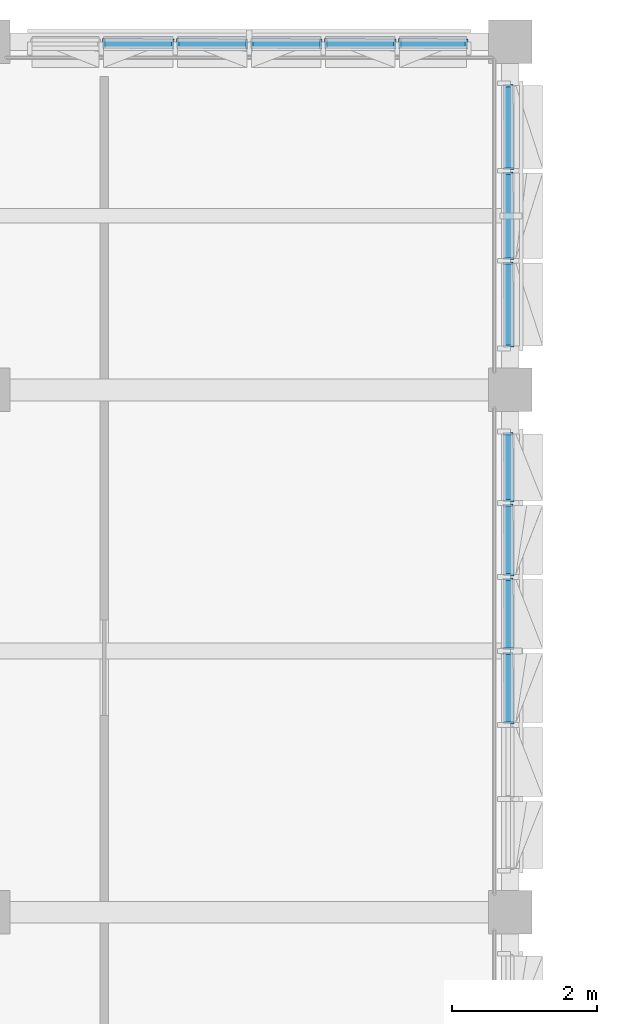
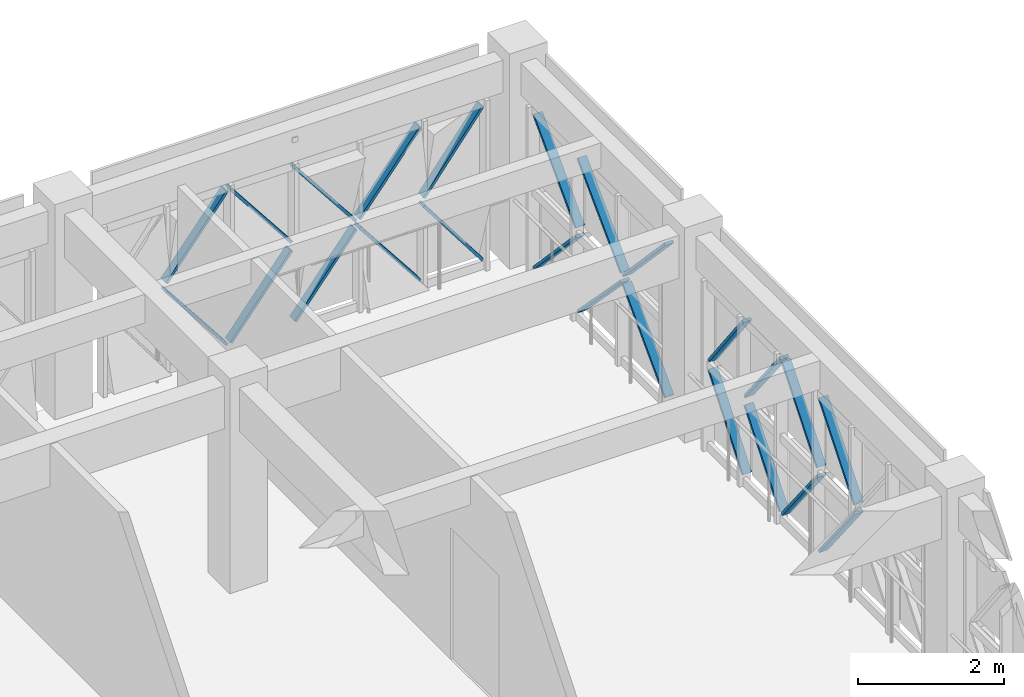
# One storey, part 51 of 74: 24 discrete accessories.
"""IFC4 building model written with IfcOpenShell, lengths in metres."""

from ifc_helpers import new_model, si_unit, direction, frame, origin, origin_2d, place, context, subcontext, project, spatial, rectangle, extrude, material, type_object, element, save


model = new_model("IFC4")

# Units and contexts
model_context = context("Model", 3, precision=1e-05, world=origin(), true_north=direction((0.0, 1.0)))
body_context = subcontext(model_context, "Body", "Model", "MODEL_VIEW")
ifc_project = project(units=[si_unit("LENGTHUNIT", "METRE"), si_unit("AREAUNIT", "SQUARE_METRE"), si_unit("VOLUMEUNIT", "CUBIC_METRE"), si_unit("PLANEANGLEUNIT", "RADIAN"), si_unit("MASSUNIT", "GRAM", prefix="KILO")], contexts=[model_context])

# Site, building, storey
site_placement = place(None, origin())
site = spatial("IfcSite", under=ifc_project, at=site_placement, CompositionType="ELEMENT")
building_placement = place(site_placement, origin())
building = spatial("IfcBuilding", under=site, at=building_placement, Name="Alvorim Cloister Faculty of Sciences", CompositionType="ELEMENT")
storey_placement = place(building_placement, frame((0.0, 0.0, 15.75)))
storey = spatial("IfcBuildingStorey", under=building, at=storey_placement, Name="L04", CompositionType="ELEMENT", Elevation=15.75)

# Discrete accessories
ifc_material = material(Name="Aluminium Alloy 6063-T6", Category="aluminium")
discrete_accessory_type = type_object("IfcDiscreteAccessoryType", Name="ACC-DIAG-BAR", PredefinedType="BRACKET", material=ifc_material)
discrete_accessory_1_placement = place(storey_placement, frame((15.992431640625, 111.577392578125, 1.35498046875), z_axis=(0.617955086572, -0.006476523147, -0.786186724404), x_axis=(0.010479997039, 0.999945083323, 0.0)))
element("IfcDiscreteAccessory", 1, at=discrete_accessory_1_placement, inside=storey, type_object=discrete_accessory_type, Name="Diagonal Cassette Glazing Bracket ACC-01942", PredefinedType="BRACKET", context=body_context, shape_type="SweptSolid", body=[
    extrude(rectangle(XDim=0.139892578125, YDim=0.044921875, at=origin_2d()), origin(), (0.0, 0.0, 1.0), 1.545654296875),
])
discrete_accessory_2_placement = place(storey_placement, frame((15.992431640625, 111.577392578125, 1.4951171875), z_axis=(0.618031836495, -0.00647732753, 0.786126385072), x_axis=(0.010479997039, 0.999945083323, 0.0)))
element("IfcDiscreteAccessory", 2, at=discrete_accessory_2_placement, inside=storey, type_object=discrete_accessory_type, Name="Diagonal Cassette Glazing Bracket ACC-01943", PredefinedType="BRACKET", context=body_context, shape_type="SweptSolid", body=[
    extrude(rectangle(XDim=0.139892578125, YDim=0.044921875, at=origin_2d()), origin(), (0.0, 0.0, 1.0), 1.54541015625),
])
discrete_accessory_3_placement = place(storey_placement, frame((17.012451171875, 111.577392578125, 0.139892578125), z_axis=(0.617955086572, -0.006476523147, 0.786186724404), x_axis=(0.010479997039, 0.999945083323, 0.0)))
element("IfcDiscreteAccessory", 3, at=discrete_accessory_3_placement, inside=storey, type_object=discrete_accessory_type, Name="Diagonal Cassette Glazing Bracket ACC-01944", PredefinedType="BRACKET", context=body_context, shape_type="SweptSolid", body=[
    extrude(rectangle(XDim=0.139892578125, YDim=0.044921875, at=origin_2d()), origin(), (0.0, 0.0, 1.0), 1.545654296875),
])
discrete_accessory_4_placement = place(storey_placement, frame((17.012451171875, 111.577392578125, 2.7099609375), z_axis=(0.618031836495, -0.00647732753, -0.786126385072), x_axis=(0.010479997039, 0.999945083323, 0.0)))
element("IfcDiscreteAccessory", 4, at=discrete_accessory_4_placement, inside=storey, type_object=discrete_accessory_type, Name="Diagonal Cassette Glazing Bracket ACC-01945", PredefinedType="BRACKET", context=body_context, shape_type="SweptSolid", body=[
    extrude(rectangle(XDim=0.139892578125, YDim=0.044921875, at=origin_2d()), origin(), (0.0, 0.0, 1.0), 1.54541015625),
])
discrete_accessory_5_placement = place(storey_placement, frame((18.032470703125, 111.577392578125, 0.139892578125), z_axis=(0.617955086572, -0.006476523147, 0.786186724404), x_axis=(0.010479997039, 0.999945083323, 0.0)))
element("IfcDiscreteAccessory", 5, at=discrete_accessory_5_placement, inside=storey, type_object=discrete_accessory_type, Name="Diagonal Cassette Glazing Bracket ACC-01946", PredefinedType="BRACKET", context=body_context, shape_type="SweptSolid", body=[
    extrude(rectangle(XDim=0.139892578125, YDim=0.044921875, at=origin_2d()), origin(), (0.0, 0.0, 1.0), 1.545654296875),
])
discrete_accessory_6_placement = place(storey_placement, frame((18.032470703125, 111.577392578125, 2.7099609375), z_axis=(0.618031836495, -0.00647732753, -0.786126385072), x_axis=(0.010479997039, 0.999945083323, 0.0)))
element("IfcDiscreteAccessory", 6, at=discrete_accessory_6_placement, inside=storey, type_object=discrete_accessory_type, Name="Diagonal Cassette Glazing Bracket ACC-01947", PredefinedType="BRACKET", context=body_context, shape_type="SweptSolid", body=[
    extrude(rectangle(XDim=0.139892578125, YDim=0.044921875, at=origin_2d()), origin(), (0.0, 0.0, 1.0), 1.54541015625),
])
discrete_accessory_7_placement = place(storey_placement, frame((19.052490234375, 111.577392578125, 1.35498046875), z_axis=(0.617955086572, -0.006476523147, -0.786186724404), x_axis=(0.010479997039, 0.999945083323, 0.0)))
element("IfcDiscreteAccessory", 7, at=discrete_accessory_7_placement, inside=storey, type_object=discrete_accessory_type, Name="Diagonal Cassette Glazing Bracket ACC-01948", PredefinedType="BRACKET", context=body_context, shape_type="SweptSolid", body=[
    extrude(rectangle(XDim=0.139892578125, YDim=0.044921875, at=origin_2d()), origin(), (0.0, 0.0, 1.0), 1.545654296875),
])
discrete_accessory_8_placement = place(storey_placement, frame((19.052490234375, 111.577392578125, 1.4951171875), z_axis=(0.618031836495, -0.00647732753, 0.786126385072), x_axis=(0.010479997039, 0.999945083323, 0.0)))
element("IfcDiscreteAccessory", 8, at=discrete_accessory_8_placement, inside=storey, type_object=discrete_accessory_type, Name="Diagonal Cassette Glazing Bracket ACC-01949", PredefinedType="BRACKET", context=body_context, shape_type="SweptSolid", body=[
    extrude(rectangle(XDim=0.139892578125, YDim=0.044921875, at=origin_2d()), origin(), (0.0, 0.0, 1.0), 1.54541015625),
])
discrete_accessory_9_placement = place(storey_placement, frame((20.072509765625, 111.577392578125, 1.35498046875), z_axis=(0.604713142785, -0.006560793558, -0.796416330151), x_axis=(0.010848792579, 0.999941150118, 0.0)))
element("IfcDiscreteAccessory", 9, at=discrete_accessory_9_placement, inside=storey, type_object=discrete_accessory_type, Name="Diagonal Cassette Glazing Bracket ACC-01950", PredefinedType="BRACKET", context=body_context, shape_type="SweptSolid", body=[
    extrude(rectangle(XDim=0.139892578125, YDim=0.044921875, at=origin_2d()), origin(), (0.0, 0.0, 1.0), 1.525634765625),
])
discrete_accessory_10_placement = place(storey_placement, frame((20.072509765625, 111.577392578125, 1.4951171875), z_axis=(0.604790215644, -0.006561629754, 0.796357796519), x_axis=(0.010848792579, 0.999941150118, 0.0)))
element("IfcDiscreteAccessory", 10, at=discrete_accessory_10_placement, inside=storey, type_object=discrete_accessory_type, Name="Diagonal Cassette Glazing Bracket ACC-01951", PredefinedType="BRACKET", context=body_context, shape_type="SweptSolid", body=[
    extrude(rectangle(XDim=0.139892578125, YDim=0.044921875, at=origin_2d()), origin(), (0.0, 0.0, 1.0), 1.525390625),
])
discrete_accessory_11_placement = place(storey_placement, frame((21.577392578125, 107.405029296875, 0.139892578125), z_axis=(-0.006001274719, 0.685023553293, 0.728496201868), x_axis=(-0.999961627419, -0.008760347591, 0.0)))
element("IfcDiscreteAccessory", 11, at=discrete_accessory_11_placement, inside=storey, type_object=discrete_accessory_type, Name="Diagonal Cassette Glazing Bracket ACC-01953", PredefinedType="BRACKET", context=body_context, shape_type="SweptSolid", body=[
    extrude(rectangle(XDim=0.139892578125, YDim=0.044921875, at=origin_2d()), origin(), (0.0, 0.0, 1.0), 1.66796875),
])
discrete_accessory_12_placement = place(storey_placement, frame((21.577392578125, 107.405029296875, 2.7099609375), z_axis=(-0.006001914684, 0.685096602967, -0.728427499223), x_axis=(-0.999961627419, -0.008760347591, 0.0)))
element("IfcDiscreteAccessory", 12, at=discrete_accessory_12_placement, inside=storey, type_object=discrete_accessory_type, Name="Diagonal Cassette Glazing Bracket ACC-01954", PredefinedType="BRACKET", context=body_context, shape_type="SweptSolid", body=[
    extrude(rectangle(XDim=0.139892578125, YDim=0.044921875, at=origin_2d()), origin(), (0.0, 0.0, 1.0), 1.667724609375),
])
discrete_accessory_13_placement = place(storey_placement, frame((21.577392578125, 108.612548828125, 1.35498046875), z_axis=(-0.005921716613, 0.695151757511, -0.718838623963), x_axis=(-0.99996371874, -0.008518286405, 0.0)))
element("IfcDiscreteAccessory", 13, at=discrete_accessory_13_placement, inside=storey, type_object=discrete_accessory_type, Name="Diagonal Cassette Glazing Bracket ACC-01955", PredefinedType="BRACKET", context=body_context, shape_type="SweptSolid", body=[
    extrude(rectangle(XDim=0.139892578125, YDim=0.044921875, at=origin_2d()), origin(), (0.0, 0.0, 1.0), 1.6904296875),
])
discrete_accessory_14_placement = place(storey_placement, frame((21.577392578125, 108.612548828125, 1.4951171875), z_axis=(-0.00592233146, 0.695223934506, 0.718768813235), x_axis=(-0.99996371874, -0.008518286405, 0.0)))
element("IfcDiscreteAccessory", 14, at=discrete_accessory_14_placement, inside=storey, type_object=discrete_accessory_type, Name="Diagonal Cassette Glazing Bracket ACC-01956", PredefinedType="BRACKET", context=body_context, shape_type="SweptSolid", body=[
    extrude(rectangle(XDim=0.139892578125, YDim=0.044921875, at=origin_2d()), origin(), (0.0, 0.0, 1.0), 1.690185546875),
])
discrete_accessory_15_placement = place(storey_placement, frame((21.577392578125, 109.8525390625, 1.35498046875), z_axis=(-0.006001274719, 0.685023553293, -0.728496201868), x_axis=(-0.999961627419, -0.008760347591, 0.0)))
element("IfcDiscreteAccessory", 15, at=discrete_accessory_15_placement, inside=storey, type_object=discrete_accessory_type, Name="Diagonal Cassette Glazing Bracket ACC-01957", PredefinedType="BRACKET", context=body_context, shape_type="SweptSolid", body=[
    extrude(rectangle(XDim=0.139892578125, YDim=0.044921875, at=origin_2d()), origin(), (0.0, 0.0, 1.0), 1.66796875),
])
discrete_accessory_16_placement = place(storey_placement, frame((21.577392578125, 109.8525390625, 1.4951171875), z_axis=(-0.006001914684, 0.685096602967, 0.728427499223), x_axis=(-0.999961627419, -0.008760347591, 0.0)))
element("IfcDiscreteAccessory", 16, at=discrete_accessory_16_placement, inside=storey, type_object=discrete_accessory_type, Name="Diagonal Cassette Glazing Bracket ACC-01958", PredefinedType="BRACKET", context=body_context, shape_type="SweptSolid", body=[
    extrude(rectangle(XDim=0.139892578125, YDim=0.044921875, at=origin_2d()), origin(), (0.0, 0.0, 1.0), 1.667724609375),
])
discrete_accessory_17_placement = place(storey_placement, frame((21.577392578125, 102.21240234375, 1.35498046875), z_axis=(-0.006476523147, 0.617955086572, -0.786186724404), x_axis=(-0.999945083323, -0.010479997039, 0.0)))
element("IfcDiscreteAccessory", 17, at=discrete_accessory_17_placement, inside=storey, type_object=discrete_accessory_type, Name="Diagonal Cassette Glazing Bracket ACC-01964", PredefinedType="BRACKET", context=body_context, shape_type="SweptSolid", body=[
    extrude(rectangle(XDim=0.139892578125, YDim=0.044921875, at=origin_2d()), origin(), (0.0, 0.0, 1.0), 1.545654296875),
])
discrete_accessory_18_placement = place(storey_placement, frame((21.577392578125, 102.21240234375, 1.4951171875), z_axis=(-0.00647732753, 0.618031836495, 0.786126385072), x_axis=(-0.999945083323, -0.010479997039, 0.0)))
element("IfcDiscreteAccessory", 18, at=discrete_accessory_18_placement, inside=storey, type_object=discrete_accessory_type, Name="Diagonal Cassette Glazing Bracket ACC-01965", PredefinedType="BRACKET", context=body_context, shape_type="SweptSolid", body=[
    extrude(rectangle(XDim=0.139892578125, YDim=0.044921875, at=origin_2d()), origin(), (0.0, 0.0, 1.0), 1.54541015625),
])
discrete_accessory_19_placement = place(storey_placement, frame((21.577392578125, 103.232421875, 1.35498046875), z_axis=(-0.006476523147, 0.617955086572, -0.786186724404), x_axis=(-0.999945083323, -0.010479997039, 0.0)))
element("IfcDiscreteAccessory", 19, at=discrete_accessory_19_placement, inside=storey, type_object=discrete_accessory_type, Name="Diagonal Cassette Glazing Bracket ACC-01966", PredefinedType="BRACKET", context=body_context, shape_type="SweptSolid", body=[
    extrude(rectangle(XDim=0.139892578125, YDim=0.044921875, at=origin_2d()), origin(), (0.0, 0.0, 1.0), 1.545654296875),
])
discrete_accessory_20_placement = place(storey_placement, frame((21.577392578125, 103.232421875, 1.4951171875), z_axis=(-0.00647732753, 0.618031836495, 0.786126385072), x_axis=(-0.999945083323, -0.010479997039, 0.0)))
element("IfcDiscreteAccessory", 20, at=discrete_accessory_20_placement, inside=storey, type_object=discrete_accessory_type, Name="Diagonal Cassette Glazing Bracket ACC-01967", PredefinedType="BRACKET", context=body_context, shape_type="SweptSolid", body=[
    extrude(rectangle(XDim=0.139892578125, YDim=0.044921875, at=origin_2d()), origin(), (0.0, 0.0, 1.0), 1.54541015625),
])
discrete_accessory_21_placement = place(storey_placement, frame((21.577392578125, 104.25244140625, 0.139892578125), z_axis=(-0.006476523147, 0.617955086572, 0.786186724404), x_axis=(-0.999945083323, -0.010479997039, 0.0)))
element("IfcDiscreteAccessory", 21, at=discrete_accessory_21_placement, inside=storey, type_object=discrete_accessory_type, Name="Diagonal Cassette Glazing Bracket ACC-01968", PredefinedType="BRACKET", context=body_context, shape_type="SweptSolid", body=[
    extrude(rectangle(XDim=0.139892578125, YDim=0.044921875, at=origin_2d()), origin(), (0.0, 0.0, 1.0), 1.545654296875),
])
discrete_accessory_22_placement = place(storey_placement, frame((21.577392578125, 104.25244140625, 2.7099609375), z_axis=(-0.00647732753, 0.618031836495, -0.786126385072), x_axis=(-0.999945083323, -0.010479997039, 0.0)))
element("IfcDiscreteAccessory", 22, at=discrete_accessory_22_placement, inside=storey, type_object=discrete_accessory_type, Name="Diagonal Cassette Glazing Bracket ACC-01969", PredefinedType="BRACKET", context=body_context, shape_type="SweptSolid", body=[
    extrude(rectangle(XDim=0.139892578125, YDim=0.044921875, at=origin_2d()), origin(), (0.0, 0.0, 1.0), 1.54541015625),
])
discrete_accessory_23_placement = place(storey_placement, frame((21.577392578125, 105.2724609375, 0.139892578125), z_axis=(-0.006560793558, 0.604713142785, 0.796416330151), x_axis=(-0.999941150118, -0.010848792579, 0.0)))
element("IfcDiscreteAccessory", 23, at=discrete_accessory_23_placement, inside=storey, type_object=discrete_accessory_type, Name="Diagonal Cassette Glazing Bracket ACC-01970", PredefinedType="BRACKET", context=body_context, shape_type="SweptSolid", body=[
    extrude(rectangle(XDim=0.139892578125, YDim=0.044921875, at=origin_2d()), origin(), (0.0, 0.0, 1.0), 1.525634765625),
])
discrete_accessory_24_placement = place(storey_placement, frame((21.577392578125, 105.2724609375, 2.7099609375), z_axis=(-0.006561629754, 0.604790215644, -0.796357796519), x_axis=(-0.999941150118, -0.010848792579, 0.0)))
element("IfcDiscreteAccessory", 24, at=discrete_accessory_24_placement, inside=storey, type_object=discrete_accessory_type, Name="Diagonal Cassette Glazing Bracket ACC-01971", PredefinedType="BRACKET", context=body_context, shape_type="SweptSolid", body=[
    extrude(rectangle(XDim=0.139892578125, YDim=0.044921875, at=origin_2d()), origin(), (0.0, 0.0, 1.0), 1.525390625),
])

save(model, "model.ifc")
